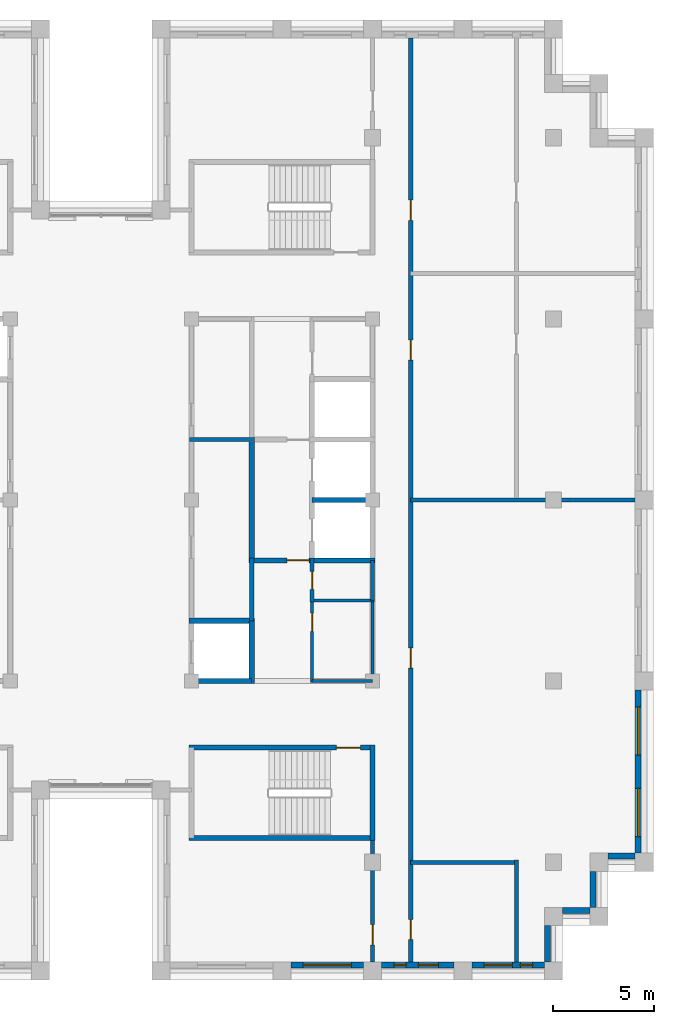
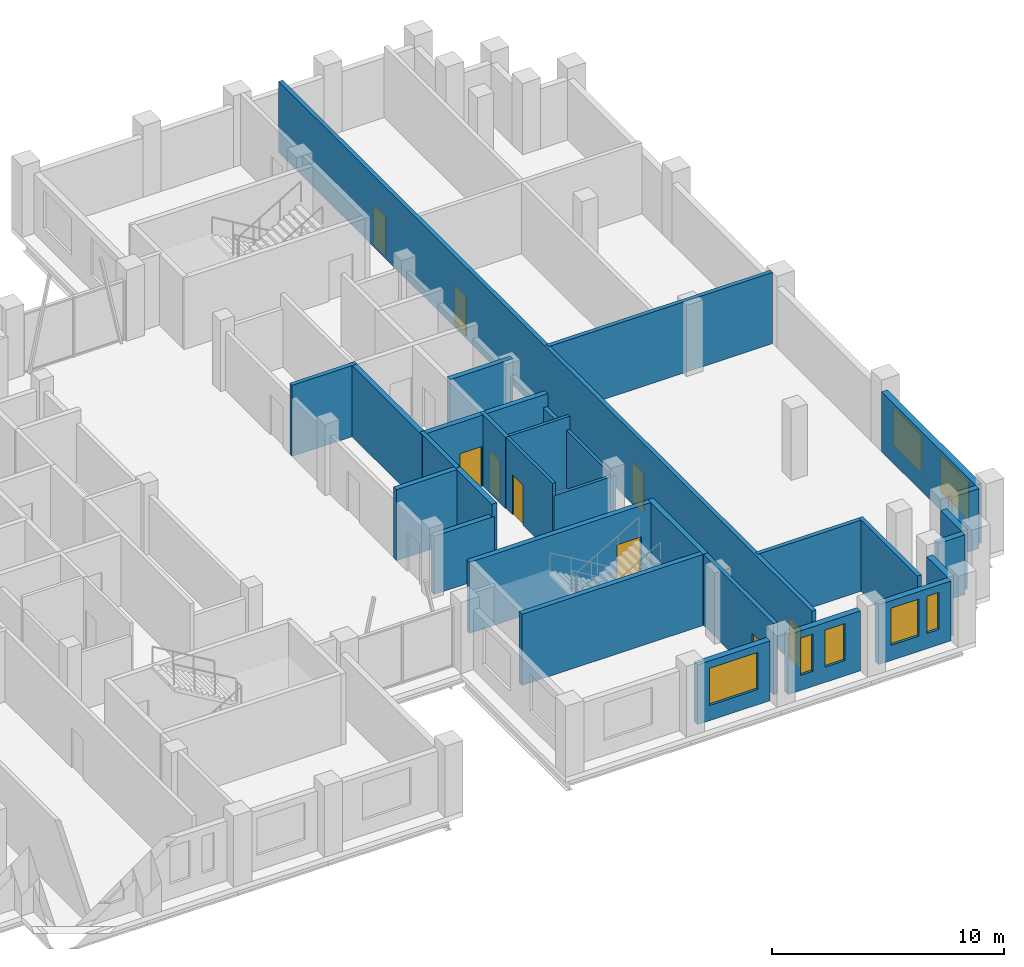
# One storey, part 8 of 13: 30 walls, 9 doors, 7 windows, 16 openings.
"""IFC4 building model written with IfcOpenShell, lengths in metres."""

from ifc_helpers import new_model, si_unit, direction, frame, frame_2d, origin, place, context, subcontext, project, spatial, rectangle, extrude, material, layer, layer_set, type_object, element, fill, save


model = new_model("IFC4")

# Units and contexts
model_context = context("Model", 3, precision=1e-05, world=origin(), true_north=direction((0.0, 1.0)))
body_context = subcontext(model_context, "Body", "Model", "MODEL_VIEW")
ifc_project = project(units=[si_unit("LENGTHUNIT", "METRE"), si_unit("AREAUNIT", "SQUARE_METRE"), si_unit("VOLUMEUNIT", "CUBIC_METRE"), si_unit("PLANEANGLEUNIT", "RADIAN"), si_unit("MASSUNIT", "GRAM", prefix="KILO")], contexts=[model_context])

# Site, building, storey
site_placement = place(None, origin())
site = spatial("IfcSite", under=ifc_project, at=site_placement, CompositionType="ELEMENT")
building_placement = place(site_placement, origin())
building = spatial("IfcBuilding", under=site, at=building_placement, Name="Corbelhall Arena Tower", CompositionType="ELEMENT")
storey_placement = place(building_placement, frame((0.0, 0.0, 312.0)))
storey = spatial("IfcBuildingStorey", under=building, at=storey_placement, Name="L68", CompositionType="ELEMENT", Elevation=312.0)

# Wall, opening, window
ifc_material_1 = material(Name="Precast concrete C40/50 with granite facing", Category="masonry")
ifc_layer_1 = layer(ifc_material_1, 0.300048828125)
ifc_layer_set_1 = layer_set([ifc_layer_1], Name="EV-IW1 Infill panel 300")
wall_type_1 = type_object("IfcWallType", Name="EV-IW1 Infill panel 300", PredefinedType="SOLIDWALL", material=ifc_layer_set_1)
wall_1_placement = place(storey_placement, frame((9.449951171875, -23.10009765625, 0.0), z_axis=(0.0, 0.0, 1.0), x_axis=(1.0, 0.0, 0.0)))
wall_1 = element("IfcWall", 1, at=wall_1_placement, inside=storey, type_object=wall_type_1, Name="Infill panel IW1", PredefinedType="SOLIDWALL", context=body_context, shape_type="SweptSolid", body=[
    extrude(rectangle(XDim=3.60009765625, YDim=0.300048828125, at=frame_2d((1.800048828125, 0.0))), origin(), (0.0, 0.0, 1.0), 3.139892578125),
])
opening_1_placement = place(wall_1_placement, frame((0.60009765625, 0.0, 0.800048828125)))
opening_1 = element("IfcOpeningElement", 2, at=opening_1_placement, cuts=wall_1, Name="Opening WN1", PredefinedType="OPENING", context=body_context, shape_type="SweptSolid", body=[
    extrude(rectangle(XDim=2.39990234375, YDim=1.949951171875, at=frame_2d((1.199951171875, 0.97509765625))), frame((0.0, 0.14990234375, 0.0), z_axis=(0.0, -1.0, 0.0), x_axis=(1.0, 0.0, 0.0)), (0.0, 0.0, 1.0), 0.300048828125),
])
ifc_material_2 = material(Name="Aluminium black anodised", Category="aluminium")
window_type_1 = type_object("IfcWindowType", Name="EV-WN1 Office window", PartitioningType="SINGLE_PANEL", PredefinedType="WINDOW", material=ifc_material_2)
window_1_placement = place(opening_1_placement, origin())
window_1 = element("IfcWindow", 3, at=window_1_placement, inside=storey, type_object=window_type_1, Name="Window WN1", OverallHeight=1.949951171875, OverallWidth=2.39990234375, PartitioningType="SINGLE_PANEL", PredefinedType="WINDOW", context=body_context, shape_type="SweptSolid", body=[
    extrude(rectangle(XDim=2.39990234375, YDim=1.949951171875, at=frame_2d((1.199951171875, 0.97509765625))), frame((0.0, 0.030029296875, 0.0), z_axis=(0.0, -1.0, 0.0), x_axis=(1.0, 0.0, 0.0)), (0.0, 0.0, 1.0), 0.06005859375),
])
fill(opening_1, window_1)

# Wall, openings, windows
wall_2_placement = place(storey_placement, frame((13.949951171875, -23.10009765625, 0.0), z_axis=(0.0, 0.0, 1.0), x_axis=(1.0, 0.0, 0.0)))
wall_2 = element("IfcWall", 4, at=wall_2_placement, inside=storey, type_object=wall_type_1, Name="Infill panel IW1", PredefinedType="SOLIDWALL", context=body_context, shape_type="SweptSolid", body=[
    extrude(rectangle(XDim=3.60009765625, YDim=0.300048828125, at=frame_2d((1.800048828125, 0.0))), origin(), (0.0, 0.0, 1.0), 3.139892578125),
])
opening_2_placement = place(wall_2_placement, frame((0.625, 0.0, 0.800048828125)))
opening_2 = element("IfcOpeningElement", 5, at=opening_2_placement, cuts=wall_2, Name="Opening WN5", PredefinedType="OPENING", context=body_context, shape_type="SweptSolid", body=[
    extrude(rectangle(XDim=0.60009765625, YDim=1.949951171875, at=frame_2d((0.300048828125, 0.97509765625))), frame((0.0, 0.14990234375, 0.0), z_axis=(0.0, -1.0, 0.0), x_axis=(1.0, 0.0, 0.0)), (0.0, 0.0, 1.0), 0.300048828125),
])
opening_3_placement = place(wall_2_placement, frame((1.824951171875, 0.0, 0.800048828125)))
opening_3 = element("IfcOpeningElement", 6, at=opening_3_placement, cuts=wall_2, Name="Opening WN6", PredefinedType="OPENING", context=body_context, shape_type="SweptSolid", body=[
    extrude(rectangle(XDim=1.0, YDim=1.949951171875, at=frame_2d((0.5, 0.97509765625))), frame((0.0, 0.14990234375, 0.0), z_axis=(0.0, -1.0, 0.0), x_axis=(1.0, 0.0, 0.0)), (0.0, 0.0, 1.0), 0.300048828125),
])
window_type_2 = type_object("IfcWindowType", Name="EV-WN5 Office window 600", PartitioningType="SINGLE_PANEL", PredefinedType="WINDOW", material=ifc_material_2)
window_2_placement = place(opening_2_placement, origin())
window_2 = element("IfcWindow", 7, at=window_2_placement, inside=storey, type_object=window_type_2, Name="Window WN5", OverallHeight=1.949951171875, OverallWidth=0.60009765625, PartitioningType="SINGLE_PANEL", PredefinedType="WINDOW", context=body_context, shape_type="SweptSolid", body=[
    extrude(rectangle(XDim=0.60009765625, YDim=1.949951171875, at=frame_2d((0.300048828125, 0.97509765625))), frame((0.0, 0.030029296875, 0.0), z_axis=(0.0, -1.0, 0.0), x_axis=(1.0, 0.0, 0.0)), (0.0, 0.0, 1.0), 0.06005859375),
])
fill(opening_2, window_2)
window_type_3 = type_object("IfcWindowType", Name="EV-WN6 Office window 1000", PartitioningType="SINGLE_PANEL", PredefinedType="WINDOW", material=ifc_material_2)
window_3_placement = place(opening_3_placement, origin())
window_3 = element("IfcWindow", 8, at=window_3_placement, inside=storey, type_object=window_type_3, Name="Window WN6", OverallHeight=1.949951171875, OverallWidth=1.0, PartitioningType="SINGLE_PANEL", PredefinedType="WINDOW", context=body_context, shape_type="SweptSolid", body=[
    extrude(rectangle(XDim=1.0, YDim=1.949951171875, at=frame_2d((0.5, 0.97509765625))), frame((0.0, 0.030029296875, 0.0), z_axis=(0.0, -1.0, 0.0), x_axis=(1.0, 0.0, 0.0)), (0.0, 0.0, 1.0), 0.06005859375),
])
fill(opening_3, window_3)

wall_3_placement = place(storey_placement, frame((18.449951171875, -23.10009765625, 0.0), z_axis=(0.0, 0.0, 1.0), x_axis=(1.0, 0.0, 0.0)))
wall_3 = element("IfcWall", 9, at=wall_3_placement, inside=storey, type_object=wall_type_1, Name="Infill panel IW1", PredefinedType="SOLIDWALL", context=body_context, shape_type="SweptSolid", body=[
    extrude(rectangle(XDim=3.60009765625, YDim=0.300048828125, at=frame_2d((1.800048828125, 0.0))), origin(), (0.0, 0.0, 1.0), 3.139892578125),
])
opening_4_placement = place(wall_3_placement, frame((0.60009765625, 0.0, 0.800048828125)))
opening_4 = element("IfcOpeningElement", 10, at=opening_4_placement, cuts=wall_3, Name="Opening WN7", PredefinedType="OPENING", context=body_context, shape_type="SweptSolid", body=[
    extrude(rectangle(XDim=1.39990234375, YDim=1.949951171875, at=frame_2d((0.699951171875, 0.97509765625))), frame((0.0, 0.14990234375, 0.0), z_axis=(0.0, -1.0, 0.0), x_axis=(1.0, 0.0, 0.0)), (0.0, 0.0, 1.0), 0.300048828125),
])
opening_5_placement = place(wall_3_placement, frame((2.39990234375, 0.0, 0.800048828125)))
opening_5 = element("IfcOpeningElement", 11, at=opening_5_placement, cuts=wall_3, Name="Opening WN5", PredefinedType="OPENING", context=body_context, shape_type="SweptSolid", body=[
    extrude(rectangle(XDim=0.60009765625, YDim=1.949951171875, at=frame_2d((0.300048828125, 0.97509765625))), frame((0.0, 0.14990234375, 0.0), z_axis=(0.0, -1.0, 0.0), x_axis=(1.0, 0.0, 0.0)), (0.0, 0.0, 1.0), 0.300048828125),
])
window_4_placement = place(opening_5_placement, origin())
window_4 = element("IfcWindow", 12, at=window_4_placement, inside=storey, type_object=window_type_2, Name="Window WN5", OverallHeight=1.949951171875, OverallWidth=0.60009765625, PartitioningType="SINGLE_PANEL", PredefinedType="WINDOW", context=body_context, shape_type="SweptSolid", body=[
    extrude(rectangle(XDim=0.60009765625, YDim=1.949951171875, at=frame_2d((0.300048828125, 0.97509765625))), frame((0.0, 0.030029296875, 0.0), z_axis=(0.0, -1.0, 0.0), x_axis=(1.0, 0.0, 0.0)), (0.0, 0.0, 1.0), 0.06005859375),
])
fill(opening_5, window_4)
window_type_4 = type_object("IfcWindowType", Name="EV-WN7 Office window 1400", PartitioningType="SINGLE_PANEL", PredefinedType="WINDOW", material=ifc_material_2)
window_5_placement = place(opening_4_placement, origin())
window_5 = element("IfcWindow", 13, at=window_5_placement, inside=storey, type_object=window_type_4, Name="Window WN7", OverallHeight=1.949951171875, OverallWidth=1.39990234375, PartitioningType="SINGLE_PANEL", PredefinedType="WINDOW", context=body_context, shape_type="SweptSolid", body=[
    extrude(rectangle(XDim=1.39990234375, YDim=1.949951171875, at=frame_2d((0.699951171875, 0.97509765625))), frame((0.0, 0.030029296875, 0.0), z_axis=(0.0, -1.0, 0.0), x_axis=(1.0, 0.0, 0.0)), (0.0, 0.0, 1.0), 0.06005859375),
])
fill(opening_4, window_5)

# Walls
wall_4_placement = place(storey_placement, frame((22.199951171875, -22.949951171875, 0.0), z_axis=(0.0, 0.0, 1.0), x_axis=(0.0, 1.0, 0.0)))
element("IfcWall", 14, at=wall_4_placement, inside=storey, type_object=wall_type_1, Name="Infill panel IW1", PredefinedType="SOLIDWALL", context=body_context, shape_type="SweptSolid", body=[
    extrude(rectangle(XDim=1.800048828125, YDim=0.300048828125, at=frame_2d((0.89990234375, 0.0))), origin(), (0.0, 0.0, 1.0), 3.139892578125),
])
wall_5_placement = place(storey_placement, frame((22.949951171875, -20.39990234375, 0.0), z_axis=(0.0, 0.0, 1.0), x_axis=(1.0, 0.0, 0.0)))
element("IfcWall", 15, at=wall_5_placement, inside=storey, type_object=wall_type_1, Name="Infill panel IW1", PredefinedType="SOLIDWALL", context=body_context, shape_type="SweptSolid", body=[
    extrude(rectangle(XDim=1.35009765625, YDim=0.300048828125, at=frame_2d((0.675048828125, 0.0))), origin(), (0.0, 0.0, 1.0), 3.139892578125),
])
wall_6_placement = place(storey_placement, frame((24.449951171875, -20.25, 0.0), z_axis=(0.0, 0.0, 1.0), x_axis=(0.0, 1.0, 0.0)))
element("IfcWall", 16, at=wall_6_placement, inside=storey, type_object=wall_type_1, Name="Infill panel IW1", PredefinedType="SOLIDWALL", context=body_context, shape_type="SweptSolid", body=[
    extrude(rectangle(XDim=1.800048828125, YDim=0.300048828125, at=frame_2d((0.89990234375, 0.0))), origin(), (0.0, 0.0, 1.0), 3.139892578125),
])
wall_7_placement = place(storey_placement, frame((25.199951171875, -17.699951171875, 0.0), z_axis=(0.0, 0.0, 1.0), x_axis=(1.0, 0.0, 0.0)))
element("IfcWall", 17, at=wall_7_placement, inside=storey, type_object=wall_type_1, Name="Infill panel IW1", PredefinedType="SOLIDWALL", context=body_context, shape_type="SweptSolid", body=[
    extrude(rectangle(XDim=1.35009765625, YDim=0.300048828125, at=frame_2d((0.675048828125, 0.0))), origin(), (0.0, 0.0, 1.0), 3.139892578125),
])

# Wall, openings, windows
wall_8_placement = place(storey_placement, frame((26.699951171875, -17.550048828125, 0.0), z_axis=(0.0, 0.0, 1.0), x_axis=(0.0, 1.0, 0.0)))
wall_8 = element("IfcWall", 18, at=wall_8_placement, inside=storey, type_object=wall_type_1, Name="Infill panel IW1", PredefinedType="SOLIDWALL", context=body_context, shape_type="SweptSolid", body=[
    extrude(rectangle(XDim=8.10009765625, YDim=0.300048828125, at=frame_2d((4.050048828125, 0.0))), origin(), (0.0, 0.0, 1.0), 3.139892578125),
])
opening_6_placement = place(wall_8_placement, frame((0.824951171875, 0.0, 0.800048828125)))
opening_6 = element("IfcOpeningElement", 19, at=opening_6_placement, cuts=wall_8, Name="Opening WN1", PredefinedType="OPENING", context=body_context, shape_type="SweptSolid", body=[
    extrude(rectangle(XDim=2.39990234375, YDim=1.949951171875, at=frame_2d((1.199951171875, 0.97509765625))), frame((0.0, 0.14990234375, 0.0), z_axis=(0.0, -1.0, 0.0), x_axis=(1.0, 0.0, 0.0)), (0.0, 0.0, 1.0), 0.300048828125),
])
opening_7_placement = place(wall_8_placement, frame((4.875, 0.0, 0.800048828125)))
opening_7 = element("IfcOpeningElement", 20, at=opening_7_placement, cuts=wall_8, Name="Opening WN1", PredefinedType="OPENING", context=body_context, shape_type="SweptSolid", body=[
    extrude(rectangle(XDim=2.39990234375, YDim=1.949951171875, at=frame_2d((1.199951171875, 0.97509765625))), frame((0.0, 0.14990234375, 0.0), z_axis=(0.0, -1.0, 0.0), x_axis=(1.0, 0.0, 0.0)), (0.0, 0.0, 1.0), 0.300048828125),
])
window_6_placement = place(opening_6_placement, origin())
window_6 = element("IfcWindow", 21, at=window_6_placement, inside=storey, type_object=window_type_1, Name="Window WN1", OverallHeight=1.949951171875, OverallWidth=2.39990234375, PartitioningType="SINGLE_PANEL", PredefinedType="WINDOW", context=body_context, shape_type="SweptSolid", body=[
    extrude(rectangle(XDim=2.39990234375, YDim=1.949951171875, at=frame_2d((1.199951171875, 0.97509765625))), frame((0.0, 0.030029296875, 0.0), z_axis=(0.0, -1.0, 0.0), x_axis=(1.0, 0.0, 0.0)), (0.0, 0.0, 1.0), 0.06005859375),
])
fill(opening_6, window_6)
window_7_placement = place(opening_7_placement, origin())
window_7 = element("IfcWindow", 22, at=window_7_placement, inside=storey, type_object=window_type_1, Name="Window WN1", OverallHeight=1.949951171875, OverallWidth=2.39990234375, PartitioningType="SINGLE_PANEL", PredefinedType="WINDOW", context=body_context, shape_type="SweptSolid", body=[
    extrude(rectangle(XDim=2.39990234375, YDim=1.949951171875, at=frame_2d((1.199951171875, 0.97509765625))), frame((0.0, 0.030029296875, 0.0), z_axis=(0.0, -1.0, 0.0), x_axis=(1.0, 0.0, 0.0)), (0.0, 0.0, 1.0), 0.06005859375),
])
fill(opening_7, window_7)

# Wall, opening, door
ifc_material_3 = material(Name="Gypsum board on steel stud, acoustic", Category="steel")
ifc_layer_2 = layer(ifc_material_3, 0.199951171875)
ifc_layer_set_2 = layer_set([ifc_layer_2], Name="IN-W-DM200")
wall_type_2 = type_object("IfcWallType", Name="IN-W-DM200", PredefinedType="PARTITIONING", material=ifc_layer_set_2)
wall_9_placement = place(storey_placement, frame((13.5, -22.949951171875, 0.0), z_axis=(0.0, 0.0, 1.0), x_axis=(0.0, 1.0, 0.0)))
wall_9 = element("IfcWall", 23, at=wall_9_placement, inside=storey, type_object=wall_type_2, Name="Partition 016", PredefinedType="PARTITIONING", context=body_context, shape_type="SweptSolid", body=[
    extrude(rectangle(XDim=6.27490234375, YDim=0.199951171875, at=frame_2d((3.137451171875, 0.0))), origin(), (0.0, 0.0, 1.0), 3.739990234375),
])
opening_8_placement = place(wall_9_placement, frame((0.85009765625, 0.0, 0.0)))
opening_8 = element("IfcOpeningElement", 24, at=opening_8_placement, cuts=wall_9, Name="Opening 22020", PredefinedType="OPENING", context=body_context, shape_type="SweptSolid", body=[
    extrude(rectangle(XDim=1.0, YDim=2.10009765625, at=frame_2d((0.5, 1.050048828125))), frame((0.0, 0.10009765625, 0.0), z_axis=(0.0, -1.0, 0.0), x_axis=(1.0, 0.0, 0.0)), (0.0, 0.0, 1.0), 0.199951171875),
])
ifc_material_4 = material(Name="Steel door set", Category="steel")
door_type_1 = type_object("IfcDoorType", Name="IN-D-SW100", OperationType="NOTDEFINED", PredefinedType="DOOR", material=ifc_material_4)
door_1_placement = place(opening_8_placement, origin())
door_1 = element("IfcDoor", 25, at=door_1_placement, inside=storey, type_object=door_type_1, Name="Door 020", OperationType="SINGLE_SWING_LEFT", OverallHeight=2.10009765625, OverallWidth=1.0, PredefinedType="DOOR", context=body_context, shape_type="SweptSolid", body=[
    extrude(rectangle(XDim=1.0, YDim=2.10009765625, at=frame_2d((0.5, 1.050048828125))), frame((0.0, 0.02490234375, 0.0), z_axis=(0.0, -1.0, 0.0), x_axis=(1.0, 0.0, 0.0)), (0.0, 0.0, 1.0), 0.050048828125),
])
fill(opening_8, door_1)

# Wall
wall_10_placement = place(storey_placement, frame((15.39990234375, -18.0, 0.0), z_axis=(0.0, 0.0, 1.0), x_axis=(1.0, 0.0, 0.0)))
element("IfcWall", 26, at=wall_10_placement, inside=storey, type_object=wall_type_2, Name="Partition 018", PredefinedType="PARTITIONING", context=body_context, shape_type="SweptSolid", body=[
    extrude(rectangle(XDim=5.25, YDim=0.199951171875, at=frame_2d((2.625, 0.0))), origin(), (0.0, 0.0, 1.0), 3.739990234375),
])

# Wall, openings, doors
wall_11_placement = place(storey_placement, frame((15.39990234375, 22.949951171875, 0.0), z_axis=(0.0, 0.0, 1.0), x_axis=(0.0, -1.0, 0.0)))
wall_11 = element("IfcWall", 27, at=wall_11_placement, inside=storey, type_object=wall_type_2, Name="Partition 019", PredefinedType="PARTITIONING", context=body_context, shape_type="SweptSolid", body=[
    extrude(rectangle(XDim=45.89990234375, YDim=0.199951171875, at=frame_2d((22.949951171875, 0.0))), origin(), (0.0, 0.0, 1.0), 3.739990234375),
])
opening_9_placement = place(wall_11_placement, frame((15.0, 0.0, 0.0)))
opening_9 = element("IfcOpeningElement", 28, at=opening_9_placement, cuts=wall_11, Name="Opening 22027", PredefinedType="OPENING", context=body_context, shape_type="SweptSolid", body=[
    extrude(rectangle(XDim=1.0, YDim=2.10009765625, at=frame_2d((0.5, 1.050048828125))), frame((0.0, 0.10009765625, 0.0), z_axis=(0.0, -1.0, 0.0), x_axis=(1.0, 0.0, 0.0)), (0.0, 0.0, 1.0), 0.199951171875),
])
opening_10_placement = place(wall_11_placement, frame((8.050048828125, 0.0, 0.0)))
opening_10 = element("IfcOpeningElement", 29, at=opening_10_placement, cuts=wall_11, Name="Opening 22029", PredefinedType="OPENING", context=body_context, shape_type="SweptSolid", body=[
    extrude(rectangle(XDim=1.0, YDim=2.10009765625, at=frame_2d((0.5, 1.050048828125))), frame((0.0, 0.10009765625, 0.0), z_axis=(0.0, -1.0, 0.0), x_axis=(1.0, 0.0, 0.0)), (0.0, 0.0, 1.0), 0.199951171875),
])
opening_11_placement = place(wall_11_placement, frame((43.800048828125, 0.0, 0.0)))
opening_11 = element("IfcOpeningElement", 30, at=opening_11_placement, cuts=wall_11, Name="Opening 22031", PredefinedType="OPENING", context=body_context, shape_type="SweptSolid", body=[
    extrude(rectangle(XDim=1.0, YDim=2.10009765625, at=frame_2d((0.5, 1.050048828125))), frame((0.0, 0.10009765625, 0.0), z_axis=(0.0, -1.0, 0.0), x_axis=(1.0, 0.0, 0.0)), (0.0, 0.0, 1.0), 0.199951171875),
])
opening_12_placement = place(wall_11_placement, frame((30.300048828125, 0.0, 0.0)))
opening_12 = element("IfcOpeningElement", 31, at=opening_12_placement, cuts=wall_11, Name="Opening 22032", PredefinedType="OPENING", context=body_context, shape_type="SweptSolid", body=[
    extrude(rectangle(XDim=1.0, YDim=2.10009765625, at=frame_2d((0.5, 1.050048828125))), frame((0.0, 0.10009765625, 0.0), z_axis=(0.0, -1.0, 0.0), x_axis=(1.0, 0.0, 0.0)), (0.0, 0.0, 1.0), 0.199951171875),
])
door_2_placement = place(opening_9_placement, origin())
door_2 = element("IfcDoor", 32, at=door_2_placement, inside=storey, type_object=door_type_1, Name="Door 027", OperationType="SINGLE_SWING_RIGHT", OverallHeight=2.10009765625, OverallWidth=1.0, PredefinedType="DOOR", context=body_context, shape_type="SweptSolid", body=[
    extrude(rectangle(XDim=1.0, YDim=2.10009765625, at=frame_2d((0.5, 1.050048828125))), frame((0.0, 0.02490234375, 0.0), z_axis=(0.0, -1.0, 0.0), x_axis=(1.0, 0.0, 0.0)), (0.0, 0.0, 1.0), 0.050048828125),
])
fill(opening_9, door_2)
door_3_placement = place(opening_10_placement, origin())
door_3 = element("IfcDoor", 33, at=door_3_placement, inside=storey, type_object=door_type_1, Name="Door 029", OperationType="SINGLE_SWING_RIGHT", OverallHeight=2.10009765625, OverallWidth=1.0, PredefinedType="DOOR", context=body_context, shape_type="SweptSolid", body=[
    extrude(rectangle(XDim=1.0, YDim=2.10009765625, at=frame_2d((0.5, 1.050048828125))), frame((0.0, 0.02490234375, 0.0), z_axis=(0.0, -1.0, 0.0), x_axis=(1.0, 0.0, 0.0)), (0.0, 0.0, 1.0), 0.050048828125),
])
fill(opening_10, door_3)
door_4_placement = place(opening_11_placement, origin())
door_4 = element("IfcDoor", 34, at=door_4_placement, inside=storey, type_object=door_type_1, Name="Door 031", OperationType="SINGLE_SWING_RIGHT", OverallHeight=2.10009765625, OverallWidth=1.0, PredefinedType="DOOR", context=body_context, shape_type="SweptSolid", body=[
    extrude(rectangle(XDim=1.0, YDim=2.10009765625, at=frame_2d((0.5, 1.050048828125))), frame((0.0, 0.02490234375, 0.0), z_axis=(0.0, -1.0, 0.0), x_axis=(1.0, 0.0, 0.0)), (0.0, 0.0, 1.0), 0.050048828125),
])
fill(opening_11, door_4)
door_5_placement = place(opening_12_placement, origin())
door_5 = element("IfcDoor", 35, at=door_5_placement, inside=storey, type_object=door_type_1, Name="Door 032", OperationType="SINGLE_SWING_LEFT", OverallHeight=2.10009765625, OverallWidth=1.0, PredefinedType="DOOR", context=body_context, shape_type="SweptSolid", body=[
    extrude(rectangle(XDim=1.0, YDim=2.10009765625, at=frame_2d((0.5, 1.050048828125))), frame((0.0, 0.02490234375, 0.0), z_axis=(0.0, -1.0, 0.0), x_axis=(1.0, 0.0, 0.0)), (0.0, 0.0, 1.0), 0.050048828125),
])
fill(opening_12, door_5)

# Walls
wall_12_placement = place(storey_placement, frame((20.64990234375, -17.89990234375, 0.0), z_axis=(0.0, 0.0, 1.0), x_axis=(0.0, -1.0, 0.0)))
element("IfcWall", 36, at=wall_12_placement, inside=storey, type_object=wall_type_2, Name="Partition 021", PredefinedType="PARTITIONING", context=body_context, shape_type="SweptSolid", body=[
    extrude(rectangle(XDim=5.050048828125, YDim=0.199951171875, at=frame_2d((2.52490234375, 0.0))), origin(), (0.0, 0.0, 1.0), 3.739990234375),
])
wall_13_placement = place(storey_placement, frame((26.550048828125, 0.0, 0.0), z_axis=(0.0, 0.0, 1.0), x_axis=(-1.0, 0.0, 0.0)))
element("IfcWall", 37, at=wall_13_placement, inside=storey, type_object=wall_type_2, Name="Partition 022", PredefinedType="PARTITIONING", context=body_context, shape_type="SweptSolid", body=[
    extrude(rectangle(XDim=11.150146484375, YDim=0.199951171875, at=frame_2d((5.5751953125, 0.0))), origin(), (0.0, 0.0, 1.0), 3.739990234375),
])
ifc_material_5 = material(Name="Concrete block wall", Category="concrete")
ifc_layer_3 = layer(ifc_material_5, 0.199951171875)
ifc_layer_set_3 = layer_set([ifc_layer_3], Name="IN-W-RS200")
wall_type_3 = type_object("IfcWallType", Name="IN-W-RS200", PredefinedType="SOLIDWALL", material=ifc_layer_set_3)
wall_14_placement = place(storey_placement, frame((4.39990234375, 3.0, 0.0), z_axis=(0.0, 0.0, 1.0), x_axis=(1.0, 0.0, 0.0)))
element("IfcWall", 38, at=wall_14_placement, inside=storey, type_object=wall_type_3, Name="Partition 031", PredefinedType="SOLIDWALL", context=body_context, shape_type="SweptSolid", body=[
    extrude(rectangle(XDim=3.22509765625, YDim=0.199951171875, at=frame_2d((1.612548828125, 0.0))), origin(), (0.0, 0.0, 1.0), 3.739990234375),
])
wall_15_placement = place(storey_placement, frame((7.5, -2.875, 0.0), z_axis=(0.0, 0.0, 1.0), x_axis=(0.0, -1.0, 0.0)))
element("IfcWall", 39, at=wall_15_placement, inside=storey, type_object=wall_type_3, Name="Partition 034", PredefinedType="SOLIDWALL", context=body_context, shape_type="SweptSolid", body=[
    extrude(rectangle(XDim=3.125, YDim=0.199951171875, at=frame_2d((1.5625, 0.0))), origin(), (0.0, 0.0, 1.0), 3.739990234375),
])

# Wall, opening, door
wall_16_placement = place(storey_placement, frame((10.5, -2.875, 0.0), z_axis=(0.0, 0.0, 1.0), x_axis=(0.0, -1.0, 0.0)))
wall_16 = element("IfcWall", 40, at=wall_16_placement, inside=storey, type_object=wall_type_3, Name="Partition 036", PredefinedType="SOLIDWALL", context=body_context, shape_type="SweptSolid", body=[
    extrude(rectangle(XDim=2.199951171875, YDim=0.199951171875, at=frame_2d((1.10009765625, 0.0))), origin(), (0.0, 0.0, 1.0), 3.739990234375),
])
opening_13_placement = place(wall_16_placement, frame((0.669921875, 0.0, 0.0)))
opening_13 = element("IfcOpeningElement", 41, at=opening_13_placement, cuts=wall_16, Name="Opening 22033", PredefinedType="OPENING", context=body_context, shape_type="SweptSolid", body=[
    extrude(rectangle(XDim=0.89990234375, YDim=2.10009765625, at=frame_2d((0.449951171875, 1.050048828125))), frame((0.0, 0.10009765625, 0.0), z_axis=(0.0, -1.0, 0.0), x_axis=(1.0, 0.0, 0.0)), (0.0, 0.0, 1.0), 0.199951171875),
])
ifc_material_6 = material(Name="Timber door set", Category="wood")
door_type_2 = type_object("IfcDoorType", Name="IN-D-SW90", OperationType="NOTDEFINED", PredefinedType="DOOR", material=ifc_material_6)
door_6_placement = place(opening_13_placement, origin())
door_6 = element("IfcDoor", 42, at=door_6_placement, inside=storey, type_object=door_type_2, Name="Door 033", OperationType="SINGLE_SWING_LEFT", OverallHeight=2.10009765625, OverallWidth=0.89990234375, PredefinedType="DOOR", context=body_context, shape_type="SweptSolid", body=[
    extrude(rectangle(XDim=0.89990234375, YDim=2.10009765625, at=frame_2d((0.449951171875, 1.050048828125))), frame((0.0, 0.02490234375, 0.0), z_axis=(0.0, -1.0, 0.0), x_axis=(1.0, 0.0, 0.0)), (0.0, 0.0, 1.0), 0.050048828125),
])
fill(opening_13, door_6)

# Walls
ifc_layer_4 = layer(ifc_material_5, 0.199951171875)
ifc_layer_set_4 = layer_set([ifc_layer_4], Name="IN-W-RS200 under beam 678 mm")
wall_type_4 = type_object("IfcWallType", Name="IN-W-RS200 under beam 678 mm", PredefinedType="SOLIDWALL", material=ifc_layer_set_4)
wall_17_placement = place(storey_placement, frame((13.5, -3.0, 0.0), z_axis=(0.0, 0.0, 1.0), x_axis=(0.0, -1.0, 0.0)))
element("IfcWall", 43, at=wall_17_placement, inside=storey, type_object=wall_type_4, Name="Partition 039", PredefinedType="SOLIDWALL", context=body_context, shape_type="SweptSolid", body=[
    extrude(rectangle(XDim=2.0, YDim=0.199951171875, at=frame_2d((1.0, 0.0))), origin(), (0.0, 0.0, 1.0), 3.061767578125),
])
ifc_material_7 = material(Name="Concrete C40/50", Category="concrete")
ifc_layer_5 = layer(ifc_material_7, 0.25)
ifc_layer_set_5 = layer_set([ifc_layer_5], Name="IN-W-SH250")
wall_type_5 = type_object("IfcWallType", Name="IN-W-SH250", PredefinedType="SOLIDWALL", material=ifc_layer_set_5)
wall_18_placement = place(storey_placement, frame((4.375, -6.0, 0.0), z_axis=(0.0, 0.0, 1.0), x_axis=(1.0, 0.0, 0.0)))
element("IfcWall", 44, at=wall_18_placement, inside=storey, type_object=wall_type_5, Name="Shaft wall 051", PredefinedType="SOLIDWALL", context=body_context, shape_type="SweptSolid", body=[
    extrude(rectangle(XDim=3.25, YDim=0.25, at=frame_2d((1.625, 0.0))), origin(), (0.0, 0.0, 1.0), 3.739990234375),
])
wall_19_placement = place(storey_placement, frame((7.5, -6.0, 0.0), z_axis=(0.0, 0.0, 1.0), x_axis=(0.0, -1.0, 0.0)))
element("IfcWall", 45, at=wall_19_placement, inside=storey, type_object=wall_type_5, Name="Shaft wall 054", PredefinedType="SOLIDWALL", context=body_context, shape_type="SweptSolid", body=[
    extrude(rectangle(XDim=3.125, YDim=0.25, at=frame_2d((1.5625, 0.0))), origin(), (0.0, 0.0, 1.0), 3.739990234375),
])

# Wall, opening, door
wall_20_placement = place(storey_placement, frame((7.5, -3.0, 0.0), z_axis=(0.0, 0.0, 1.0), x_axis=(1.0, 0.0, 0.0)))
wall_20 = element("IfcWall", 46, at=wall_20_placement, inside=storey, type_object=wall_type_5, Name="Shaft wall 055", PredefinedType="SOLIDWALL", context=body_context, shape_type="SweptSolid", body=[
    extrude(rectangle(XDim=6.125, YDim=0.25, at=frame_2d((3.0625, 0.0))), origin(), (0.0, 0.0, 1.0), 3.739990234375),
])
opening_14_placement = place(wall_20_placement, frame((1.75, 0.0, 0.0)))
opening_14 = element("IfcOpeningElement", 47, at=opening_14_placement, cuts=wall_20, Name="Opening 22010", PredefinedType="OPENING", context=body_context, shape_type="SweptSolid", body=[
    extrude(rectangle(XDim=1.10009765625, YDim=2.10009765625, at=frame_2d((0.550048828125, 1.050048828125))), frame((0.0, 0.125, 0.0), z_axis=(0.0, -1.0, 0.0), x_axis=(1.0, 0.0, 0.0)), (0.0, 0.0, 1.0), 0.25),
])
door_type_3 = type_object("IfcDoorType", Name="IN-D-FD110", OperationType="NOTDEFINED", PredefinedType="DOOR", material=ifc_material_4)
door_7_placement = place(opening_14_placement, origin())
door_7 = element("IfcDoor", 48, at=door_7_placement, inside=storey, type_object=door_type_3, Name="Door 010", OperationType="SINGLE_SWING_LEFT", OverallHeight=2.10009765625, OverallWidth=1.10009765625, PredefinedType="DOOR", context=body_context, shape_type="SweptSolid", body=[
    extrude(rectangle(XDim=1.10009765625, YDim=2.10009765625, at=frame_2d((0.550048828125, 1.050048828125))), frame((0.0, 0.02490234375, 0.0), z_axis=(0.0, -1.0, 0.0), x_axis=(1.0, 0.0, 0.0)), (0.0, 0.0, 1.0), 0.050048828125),
])
fill(opening_14, door_7)

# Walls
wall_21_placement = place(storey_placement, frame((7.5, 3.125, 0.0), z_axis=(0.0, 0.0, 1.0), x_axis=(0.0, -1.0, 0.0)))
element("IfcWall", 49, at=wall_21_placement, inside=storey, type_object=wall_type_5, Name="Shaft wall 057", PredefinedType="SOLIDWALL", context=body_context, shape_type="SweptSolid", body=[
    extrude(rectangle(XDim=6.25, YDim=0.25, at=frame_2d((3.125, 0.0))), origin(), (0.0, 0.0, 1.0), 3.739990234375),
])
wall_22_placement = place(storey_placement, frame((10.5, 0.0, 0.0), z_axis=(0.0, 0.0, 1.0), x_axis=(1.0, 0.0, 0.0)))
element("IfcWall", 50, at=wall_22_placement, inside=storey, type_object=wall_type_5, Name="Shaft wall 058", PredefinedType="SOLIDWALL", context=body_context, shape_type="SweptSolid", body=[
    extrude(rectangle(XDim=3.125, YDim=0.25, at=frame_2d((1.5625, 0.0))), origin(), (0.0, 0.0, 1.0), 3.739990234375),
])
ifc_layer_6 = layer(ifc_material_7, 0.25)
ifc_layer_set_6 = layer_set([ifc_layer_6], Name="IN-W-SH250 under beam 678 mm")
wall_type_6 = type_object("IfcWallType", Name="IN-W-SH250 under beam 678 mm", PredefinedType="SOLIDWALL", material=ifc_layer_set_6)
wall_23_placement = place(storey_placement, frame((7.5, -9.0, 0.0), z_axis=(0.0, 0.0, 1.0), x_axis=(-1.0, 0.0, 0.0)))
element("IfcWall", 51, at=wall_23_placement, inside=storey, type_object=wall_type_6, Name="Shaft wall 053", PredefinedType="SOLIDWALL", context=body_context, shape_type="SweptSolid", body=[
    extrude(rectangle(XDim=3.0, YDim=0.25, at=frame_2d((1.5, 0.0))), origin(), (0.0, 0.0, 1.0), 3.061767578125),
])
ifc_layer_7 = layer(ifc_material_7, 0.25)
ifc_layer_set_7 = layer_set([ifc_layer_7], Name="IN-W-ST250")
wall_type_7 = type_object("IfcWallType", Name="IN-W-ST250", PredefinedType="SOLIDWALL", material=ifc_layer_set_7)
wall_24_placement = place(storey_placement, frame((13.5, -16.925048828125, 0.0), z_axis=(0.0, 0.0, 1.0), x_axis=(0.0, 1.0, 0.0)))
element("IfcWall", 52, at=wall_24_placement, inside=storey, type_object=wall_type_7, Name="Shaft wall 074", PredefinedType="SOLIDWALL", context=body_context, shape_type="SweptSolid", body=[
    extrude(rectangle(XDim=4.75, YDim=0.25, at=frame_2d((2.375, 0.0))), origin(), (0.0, 0.0, 1.0), 3.739990234375),
])
wall_25_placement = place(storey_placement, frame((13.5, -16.800048828125, 0.0), z_axis=(0.0, 0.0, 1.0), x_axis=(-1.0, 0.0, 0.0)))
element("IfcWall", 53, at=wall_25_placement, inside=storey, type_object=wall_type_7, Name="Shaft wall 075", PredefinedType="SOLIDWALL", context=body_context, shape_type="SweptSolid", body=[
    extrude(rectangle(XDim=9.125, YDim=0.25, at=frame_2d((4.5625, 0.0))), origin(), (0.0, 0.0, 1.0), 3.739990234375),
])

# Wall, opening, door
wall_26_placement = place(storey_placement, frame((13.5, -12.300048828125, 0.0), z_axis=(0.0, 0.0, 1.0), x_axis=(-1.0, 0.0, 0.0)))
wall_26 = element("IfcWall", 54, at=wall_26_placement, inside=storey, type_object=wall_type_7, Name="Shaft wall 076", PredefinedType="SOLIDWALL", context=body_context, shape_type="SweptSolid", body=[
    extrude(rectangle(XDim=9.125, YDim=0.25, at=frame_2d((4.5625, 0.0))), origin(), (0.0, 0.0, 1.0), 3.739990234375),
])
opening_15_placement = place(wall_26_placement, frame((0.60009765625, 0.0, 0.0)))
opening_15 = element("IfcOpeningElement", 55, at=opening_15_placement, cuts=wall_26, Name="Opening 22017", PredefinedType="OPENING", context=body_context, shape_type="SweptSolid", body=[
    extrude(rectangle(XDim=1.199951171875, YDim=2.10009765625, at=frame_2d((0.60009765625, 1.050048828125))), frame((0.0, 0.125, 0.0), z_axis=(0.0, -1.0, 0.0), x_axis=(1.0, 0.0, 0.0)), (0.0, 0.0, 1.0), 0.25),
])
door_type_4 = type_object("IfcDoorType", Name="IN-D-ST120", OperationType="NOTDEFINED", PredefinedType="DOOR", material=ifc_material_4)
door_8_placement = place(opening_15_placement, origin())
door_8 = element("IfcDoor", 56, at=door_8_placement, inside=storey, type_object=door_type_4, Name="Door 017", OperationType="SINGLE_SWING_RIGHT", OverallHeight=2.10009765625, OverallWidth=1.199951171875, PredefinedType="DOOR", context=body_context, shape_type="SweptSolid", body=[
    extrude(rectangle(XDim=1.199951171875, YDim=2.10009765625, at=frame_2d((0.60009765625, 1.050048828125))), frame((0.0, 0.02490234375, 0.0), z_axis=(0.0, -1.0, 0.0), x_axis=(1.0, 0.0, 0.0)), (0.0, 0.0, 1.0), 0.050048828125),
])
fill(opening_15, door_8)

# Wall
ifc_material_8 = material(Name="Gypsum board on steel stud, moisture resistant", Category="steel")
ifc_layer_8 = layer(ifc_material_8, 0.14990234375)
ifc_layer_set_8 = layer_set([ifc_layer_8], Name="IN-W-WC150")
wall_type_8 = type_object("IfcWallType", Name="IN-W-WC150", PredefinedType="PARTITIONING", material=ifc_layer_set_8)
wall_27_placement = place(storey_placement, frame((10.5, -5.0, 0.0), z_axis=(0.0, 0.0, 1.0), x_axis=(1.0, 0.0, 0.0)))
element("IfcWall", 57, at=wall_27_placement, inside=storey, type_object=wall_type_8, Name="Partition 085", PredefinedType="PARTITIONING", context=body_context, shape_type="SweptSolid", body=[
    extrude(rectangle(XDim=3.10009765625, YDim=0.14990234375, at=frame_2d((1.550048828125, 0.0))), origin(), (0.0, 0.0, 1.0), 3.739990234375),
])

# Wall, opening, door
wall_28_placement = place(storey_placement, frame((10.5, -4.925048828125, 0.0), z_axis=(0.0, 0.0, 1.0), x_axis=(0.0, -1.0, 0.0)))
wall_28 = element("IfcWall", 58, at=wall_28_placement, inside=storey, type_object=wall_type_8, Name="Partition 086", PredefinedType="PARTITIONING", context=body_context, shape_type="SweptSolid", body=[
    extrude(rectangle(XDim=4.14990234375, YDim=0.14990234375, at=frame_2d((2.074951171875, 0.0))), origin(), (0.0, 0.0, 1.0), 3.739990234375),
])
opening_16_placement = place(wall_28_placement, frame((0.699951171875, 0.0, 0.0)))
opening_16 = element("IfcOpeningElement", 59, at=opening_16_placement, cuts=wall_28, Name="Opening 22012", PredefinedType="OPENING", context=body_context, shape_type="SweptSolid", body=[
    extrude(rectangle(XDim=0.89990234375, YDim=2.10009765625, at=frame_2d((0.449951171875, 1.050048828125))), frame((0.0, 0.074951171875, 0.0), z_axis=(0.0, -1.0, 0.0), x_axis=(1.0, 0.0, 0.0)), (0.0, 0.0, 1.0), 0.14990234375),
])
door_9_placement = place(opening_16_placement, origin())
door_9 = element("IfcDoor", 60, at=door_9_placement, inside=storey, type_object=door_type_2, Name="Door 012", OperationType="SINGLE_SWING_LEFT", OverallHeight=2.10009765625, OverallWidth=0.89990234375, PredefinedType="DOOR", context=body_context, shape_type="SweptSolid", body=[
    extrude(rectangle(XDim=0.89990234375, YDim=2.10009765625, at=frame_2d((0.449951171875, 1.050048828125))), frame((0.0, 0.02490234375, 0.0), z_axis=(0.0, -1.0, 0.0), x_axis=(1.0, 0.0, 0.0)), (0.0, 0.0, 1.0), 0.050048828125),
])
fill(opening_16, door_9)

# Walls
ifc_layer_9 = layer(ifc_material_8, 0.14990234375)
ifc_layer_set_9 = layer_set([ifc_layer_9], Name="IN-W-WC150 under beam 678 mm")
wall_type_9 = type_object("IfcWallType", Name="IN-W-WC150 under beam 678 mm", PredefinedType="PARTITIONING", material=ifc_layer_set_9)
wall_29_placement = place(storey_placement, frame((13.5, -9.0, 0.0), z_axis=(0.0, 0.0, 1.0), x_axis=(-1.0, 0.0, 0.0)))
element("IfcWall", 61, at=wall_29_placement, inside=storey, type_object=wall_type_9, Name="Partition 087", PredefinedType="PARTITIONING", context=body_context, shape_type="SweptSolid", body=[
    extrude(rectangle(XDim=3.0, YDim=0.14990234375, at=frame_2d((1.5, 0.0))), origin(), (0.0, 0.0, 1.0), 3.061767578125),
])
wall_30_placement = place(storey_placement, frame((13.5, -5.0, 0.0), z_axis=(0.0, 0.0, 1.0), x_axis=(0.0, -1.0, 0.0)))
element("IfcWall", 62, at=wall_30_placement, inside=storey, type_object=wall_type_9, Name="Partition 088", PredefinedType="PARTITIONING", context=body_context, shape_type="SweptSolid", body=[
    extrude(rectangle(XDim=4.074951171875, YDim=0.14990234375, at=frame_2d((2.03759765625, 0.0))), origin(), (0.0, 0.0, 1.0), 3.061767578125),
])

save(model, "model.ifc")
